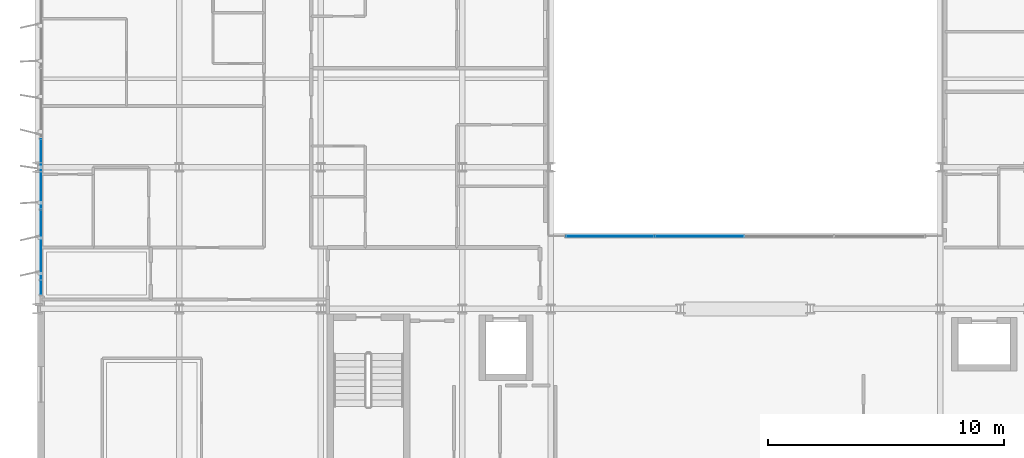
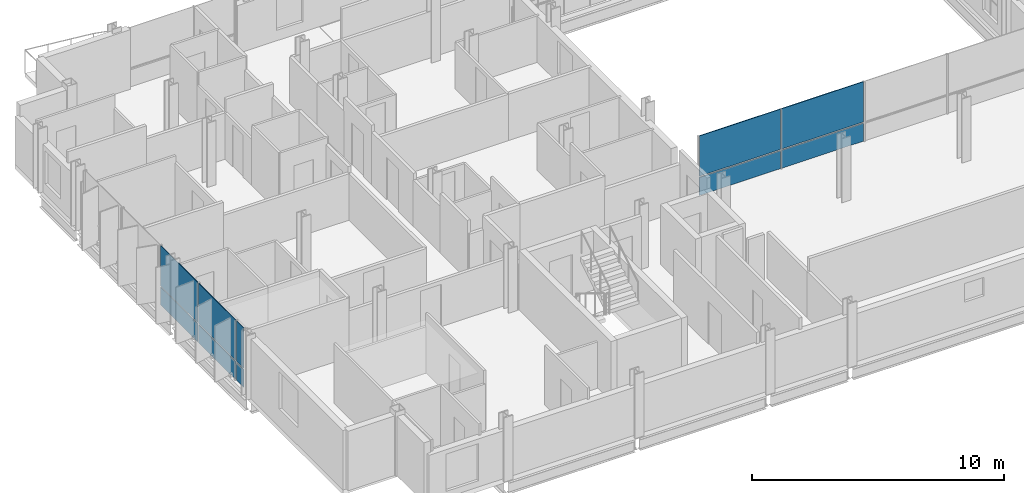
# One storey, part 22 of 39: 10 plates, 2 elements without a shape of their own.
"""IFC4 building model written with IfcOpenShell, lengths in metres."""

from ifc_helpers import new_model, si_unit, direction, frame, origin, origin_2d, place, context, subcontext, project, spatial, rectangle, extrude, material, layer, layer_set, type_object, element, aggregate, save


model = new_model("IFC4")

# Units and contexts
model_context = context("Model", 3, precision=1e-05, world=origin(), true_north=direction((0.0, 1.0)))
body_context = subcontext(model_context, "Body", "Model", "MODEL_VIEW")
ifc_project = project(units=[si_unit("LENGTHUNIT", "METRE"), si_unit("AREAUNIT", "SQUARE_METRE"), si_unit("VOLUMEUNIT", "CUBIC_METRE"), si_unit("PLANEANGLEUNIT", "RADIAN"), si_unit("MASSUNIT", "GRAM", prefix="KILO")], contexts=[model_context])

# Site, building, storey
site_placement = place(None, origin())
site = spatial("IfcSite", under=ifc_project, at=site_placement, CompositionType="ELEMENT")
building_placement = place(site_placement, origin())
building = spatial("IfcBuilding", under=site, at=building_placement, Name="Brevholm Reach", CompositionType="ELEMENT")
storey_placement = place(building_placement, frame((0.0, 0.0, 103.5)))
storey = spatial("IfcBuildingStorey", under=building, at=storey_placement, Name="L30", CompositionType="ELEMENT", Elevation=103.5)

# Curtain wall, plates
ifc_material_1 = material(Name="Dark Anodised Aluminium 6063-T6 and Solar-Control Glass", Category="aluminium")
ifc_layer_1 = layer(ifc_material_1, 0.14990234375)
ifc_layer_set_1 = layer_set([ifc_layer_1], Name="Dark Anodised Aluminium 6063-T6 and Solar-Control Glass")
curtain_wall_type_1 = type_object("IfcCurtainWallType", Name="CW-01", PredefinedType="NOTDEFINED", material=ifc_layer_set_1)
curtain_wall_1_placement = place(storey_placement, origin())
curtain_wall_1 = element("IfcCurtainWall", 1, at=curtain_wall_1_placement, inside=storey, type_object=curtain_wall_type_1, Name="L30 Curtain Wall CW-01", PredefinedType="NOTDEFINED")
ifc_material_2 = material(Name="Dark Solar-Control Double-Glazed IGU Glass", Category="glass")
ifc_layer_2 = layer(ifc_material_2, 0.028076171875)
ifc_layer_set_2 = layer_set([ifc_layer_2], Name="Dark Solar-Control Double-Glazed IGU Glass")
plate_type_1 = type_object("IfcPlateType", Name="CWP-GLZ-28", PredefinedType="CURTAIN_PANEL", material=ifc_layer_set_2)
plate_1_placement = place(storey_placement, frame((0.14990234375, 15.719970703125, 0.0), z_axis=(0.0, 0.0, 1.0), x_axis=(0.0, -1.0, 0.0)))
plate_1 = element("IfcPlate", 2, at=plate_1_placement, type_object=plate_type_1, Name="CP-01 Glazing Panel 3.1", PredefinedType="CURTAIN_PANEL", context=body_context, shape_type="SweptSolid", body=[
    extrude(rectangle(XDim=2.93505859375, YDim=0.028076171875, at=origin_2d()), origin(), (0.0, 0.0, 1.0), 0.867431640625),
])
plate_2_placement = place(storey_placement, frame((0.14990234375, 15.719970703125, 0.9326171875), z_axis=(0.0, 0.0, 1.0), x_axis=(0.0, -1.0, 0.0)))
plate_2 = element("IfcPlate", 3, at=plate_2_placement, type_object=plate_type_1, Name="CP-01 Glazing Panel 3.2", PredefinedType="CURTAIN_PANEL", context=body_context, shape_type="SweptSolid", body=[
    extrude(rectangle(XDim=2.93505859375, YDim=0.028076171875, at=origin_2d()), origin(), (0.0, 0.0, 1.0), 1.947509765625),
])
plate_3_placement = place(storey_placement, frame((0.14990234375, 12.719970703125, 0.0), z_axis=(0.0, 0.0, 1.0), x_axis=(0.0, -1.0, 0.0)))
plate_3 = element("IfcPlate", 4, at=plate_3_placement, type_object=plate_type_1, Name="CP-01 Glazing Panel 4.1", PredefinedType="CURTAIN_PANEL", context=body_context, shape_type="SweptSolid", body=[
    extrude(rectangle(XDim=2.93505859375, YDim=0.028076171875, at=origin_2d()), origin(), (0.0, 0.0, 1.0), 0.867431640625),
])
plate_4_placement = place(storey_placement, frame((0.14990234375, 12.719970703125, 0.9326171875), z_axis=(0.0, 0.0, 1.0), x_axis=(0.0, -1.0, 0.0)))
plate_4 = element("IfcPlate", 5, at=plate_4_placement, type_object=plate_type_1, Name="CP-01 Glazing Panel 4.2", PredefinedType="CURTAIN_PANEL", context=body_context, shape_type="SweptSolid", body=[
    extrude(rectangle(XDim=2.93505859375, YDim=0.028076171875, at=origin_2d()), origin(), (0.0, 0.0, 1.0), 1.947509765625),
])
plate_5_placement = place(storey_placement, frame((0.14990234375, 10.9013671875, 0.0), z_axis=(0.0, 0.0, 1.0), x_axis=(0.0, -1.0, 0.0)))
plate_5 = element("IfcPlate", 6, at=plate_5_placement, type_object=plate_type_1, Name="CP-01 Glazing Panel 5.1", PredefinedType="CURTAIN_PANEL", context=body_context, shape_type="SweptSolid", body=[
    extrude(rectangle(XDim=0.572509765625, YDim=0.028076171875, at=origin_2d()), origin(), (0.0, 0.0, 1.0), 0.867431640625),
])
plate_6_placement = place(storey_placement, frame((0.14990234375, 10.9013671875, 0.9326171875), z_axis=(0.0, 0.0, 1.0), x_axis=(0.0, -1.0, 0.0)))
plate_6 = element("IfcPlate", 7, at=plate_6_placement, type_object=plate_type_1, Name="CP-01 Glazing Panel 5.2", PredefinedType="CURTAIN_PANEL", context=body_context, shape_type="SweptSolid", body=[
    extrude(rectangle(XDim=0.572509765625, YDim=0.028076171875, at=origin_2d()), origin(), (0.0, 0.0, 1.0), 1.947509765625),
])
aggregate(curtain_wall_1, [plate_1, plate_2, plate_3, plate_4, plate_5, plate_6])

ifc_material_3 = material(Name="Dark Anodised Aluminium 6063-T6 and Solar-Control Glass", Category="aluminium")
ifc_layer_3 = layer(ifc_material_3, 0.139892578125)
ifc_layer_set_3 = layer_set([ifc_layer_3], Name="Dark Anodised Aluminium 6063-T6 and Solar-Control Glass")
curtain_wall_type_2 = type_object("IfcCurtainWallType", Name="CW-02", PredefinedType="NOTDEFINED", material=ifc_layer_set_3)
curtain_wall_2_placement = place(storey_placement, origin())
curtain_wall_2 = element("IfcCurtainWall", 8, at=curtain_wall_2_placement, inside=storey, type_object=curtain_wall_type_2, Name="L30 Curtain Wall CW-02", PredefinedType="NOTDEFINED")
ifc_material_4 = material(Name="Low-Iron Laminated Acoustic Glass", Category="glass")
ifc_layer_4 = layer(ifc_material_4, 0.035888671875)
ifc_layer_set_4 = layer_set([ifc_layer_4], Name="Low-Iron Laminated Acoustic Glass")
plate_type_2 = type_object("IfcPlateType", Name="CWP-GLZ-36", PredefinedType="CURTAIN_PANEL", material=ifc_layer_set_4)
plate_7_placement = place(storey_placement, frame((24.264892578125, 13.080078125, 0.0), z_axis=(0.0, 0.0, 1.0), x_axis=(1.0, 0.0, 0.0)))
plate_7 = element("IfcPlate", 9, at=plate_7_placement, type_object=plate_type_2, Name="CP-02 Glazing Panel 1.1", PredefinedType="CURTAIN_PANEL", context=body_context, shape_type="SweptSolid", body=[
    extrude(rectangle(XDim=3.7099609375, YDim=0.035888671875, at=origin_2d()), origin(), (0.0, 0.0, 1.0), 0.8701171875),
])
plate_8_placement = place(storey_placement, frame((24.264892578125, 13.080078125, 0.93017578125), z_axis=(0.0, 0.0, 1.0), x_axis=(1.0, 0.0, 0.0)))
plate_8 = element("IfcPlate", 10, at=plate_8_placement, type_object=plate_type_2, Name="CP-02 Glazing Panel 1.2", PredefinedType="CURTAIN_PANEL", context=body_context, shape_type="SweptSolid", body=[
    extrude(rectangle(XDim=3.7099609375, YDim=0.035888671875, at=origin_2d()), origin(), (0.0, 0.0, 1.0), 1.949951171875),
])
plate_9_placement = place(storey_placement, frame((28.050048828125, 13.080078125, 0.0), z_axis=(0.0, 0.0, 1.0), x_axis=(1.0, 0.0, 0.0)))
plate_9 = element("IfcPlate", 11, at=plate_9_placement, type_object=plate_type_2, Name="CP-02 Glazing Panel 2.1", PredefinedType="CURTAIN_PANEL", context=body_context, shape_type="SweptSolid", body=[
    extrude(rectangle(XDim=3.739990234375, YDim=0.035888671875, at=origin_2d()), origin(), (0.0, 0.0, 1.0), 0.8701171875),
])
plate_10_placement = place(storey_placement, frame((28.050048828125, 13.080078125, 0.93017578125), z_axis=(0.0, 0.0, 1.0), x_axis=(1.0, 0.0, 0.0)))
plate_10 = element("IfcPlate", 12, at=plate_10_placement, type_object=plate_type_2, Name="CP-02 Glazing Panel 2.2", PredefinedType="CURTAIN_PANEL", context=body_context, shape_type="SweptSolid", body=[
    extrude(rectangle(XDim=3.739990234375, YDim=0.035888671875, at=origin_2d()), origin(), (0.0, 0.0, 1.0), 1.949951171875),
])
aggregate(curtain_wall_2, [plate_7, plate_8, plate_9, plate_10])

save(model, "model.ifc")
